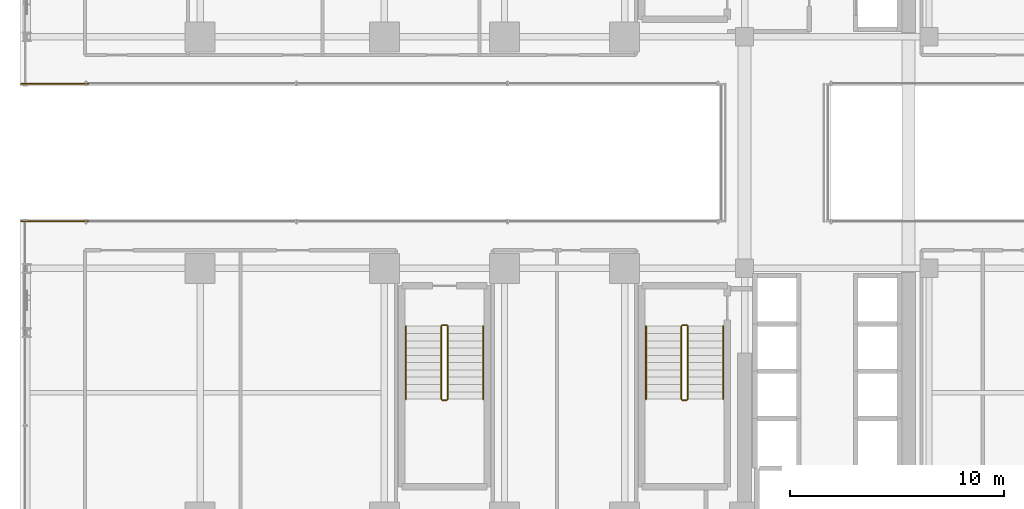
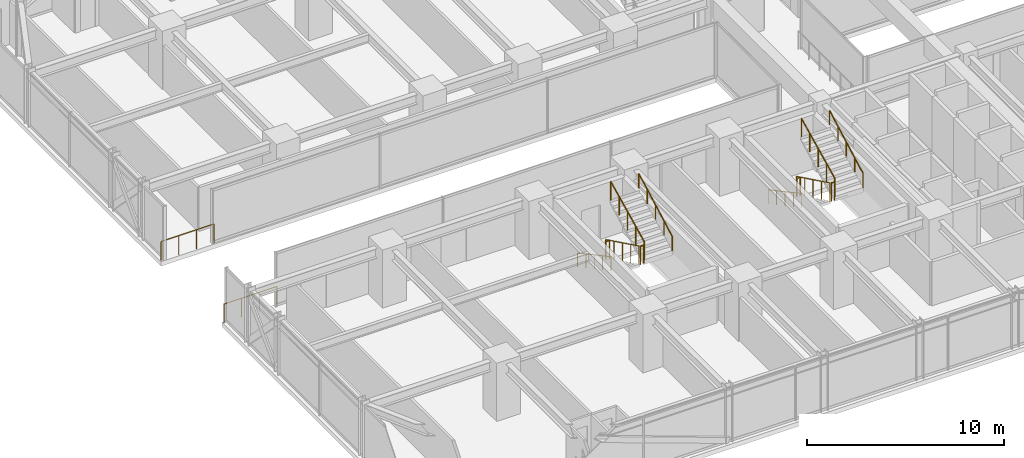
# One storey, part 38 of 41: 14 railings.
"""IFC4 building model written with IfcOpenShell, lengths in metres."""

from ifc_helpers import new_model, si_unit, direction, frame, origin, origin_2d, place, context, subcontext, project, spatial, circle, extrude, material, type_object, element, save


model = new_model("IFC4")

# Units and contexts
model_context = context("Model", 3, precision=1e-05, world=origin(), true_north=direction((0.0, 1.0)))
body_context = subcontext(model_context, "Body", "Model", "MODEL_VIEW")
ifc_project = project(units=[si_unit("LENGTHUNIT", "METRE"), si_unit("AREAUNIT", "SQUARE_METRE"), si_unit("VOLUMEUNIT", "CUBIC_METRE"), si_unit("PLANEANGLEUNIT", "RADIAN"), si_unit("MASSUNIT", "GRAM", prefix="KILO")], contexts=[model_context])

# Site, building, storey
site_placement = place(None, origin())
site = spatial("IfcSite", under=ifc_project, at=site_placement, CompositionType="ELEMENT")
building_placement = place(site_placement, origin())
building = spatial("IfcBuilding", under=site, at=building_placement, Name="Nahalor Promenade Grand Hotel", CompositionType="ELEMENT")
storey_placement = place(building_placement, frame((0.0, 0.0, 54.300048828125)))
storey = spatial("IfcBuildingStorey", under=building, at=storey_placement, Name="L12", CompositionType="ELEMENT", Elevation=54.300048828125)

# Railings
ifc_material_1 = material(Name="Anodised Bronze Aluminium EN AW-6063 T6", Category="aluminium")
railing_type_1 = type_object("IfcRailingType", Name="Bronze Balcony Guardrail 1200 mm", PredefinedType="GUARDRAIL", material=ifc_material_1)
for number, where, name in (
    (1, (-25.340087890625, -3.199951171875, 0.0), "L12 Oculus Void Edge Guardrail WS"),
    (2, (-25.340087890625, 3.199951171875, 0.0), "L12 Oculus Void Edge Guardrail WN"),
):
    element("IfcRailing", number, at=place(storey_placement, frame(where)), inside=storey, type_object=railing_type_1, Name=name, PredefinedType="GUARDRAIL", context=body_context, shape_type="SweptSolid", body=[
        extrude(circle(Radius=0.024048, at=origin_2d()), frame((0.0, 0.0, 1.17578125), z_axis=(1.0, 0.0, 0.0), x_axis=(0.0, 1.0, 0.0)), (0.0, 0.0, 1.0), 3.1201171875),
        extrude(circle(Radius=0.020996, at=origin_2d()), origin(), (0.0, 0.0, 1.0), 1.14990234375),
        extrude(circle(Radius=0.020996, at=origin_2d()), frame((1.0400390625, 0.0, 0.0)), (0.0, 0.0, 1.0), 1.14990234375),
        extrude(circle(Radius=0.020996, at=origin_2d()), frame((2.080078125, 0.0, 0.0)), (0.0, 0.0, 1.0), 1.14990234375),
        extrude(circle(Radius=0.020996, at=origin_2d()), frame((3.1201171875, 0.0, 0.0)), (0.0, 0.0, 1.0), 1.14990234375),
    ])
ifc_material_2 = material(Name="Steel S355JR", Category="steel")
railing_type_2 = type_object("IfcRailingType", Name="Steel Stair Guardrail 1150 mm", PredefinedType="GUARDRAIL", material=ifc_material_2)
railing_1_placement = place(storey_placement, frame((5.449951171875, -8.10009765625, 0.165771484375)))
element("IfcRailing", 3, at=railing_1_placement, inside=storey, type_object=railing_type_2, Name="L12 ST2 stair guard 1", PredefinedType="GUARDRAIL", context=body_context, shape_type="SweptSolid", body=[
    extrude(circle(Radius=0.024048, at=origin_2d()), frame((0.0, 0.0, 1.1259765625), z_axis=(0.0, -0.898696488221, 0.438571114028), x_axis=(1.0, 0.0, 0.0)), (0.0, 0.0, 1.0), 3.783203125),
    extrude(circle(Radius=0.020996, at=origin_2d()), origin(), (0.0, 0.0, 1.0), 1.099853515625),
    extrude(circle(Radius=0.020996, at=origin_2d()), frame((0.0, -0.85009765625, 0.414794921875)), (0.0, 0.0, 1.0), 1.099853515625),
    extrude(circle(Radius=0.020996, at=origin_2d()), frame((0.0, -1.699951171875, 0.82958984375)), (0.0, 0.0, 1.0), 1.099853515625),
    extrude(circle(Radius=0.020996, at=origin_2d()), frame((0.0, -2.5498046875, 1.244384765625)), (0.0, 0.0, 1.0), 1.099853515625),
    extrude(circle(Radius=0.020996, at=origin_2d()), frame((0.0, -3.39990234375, 1.6591796875)), (0.0, 0.0, 1.0), 1.099853515625),
])
railing_2_placement = place(storey_placement, frame((5.5, -11.550048828125, 1.824951171875)))
element("IfcRailing", 4, at=railing_2_placement, inside=storey, type_object=railing_type_2, Name="L12 ST2 stair guard 2", PredefinedType="GUARDRAIL", context=body_context, shape_type="SweptSolid", body=[
    extrude(circle(Radius=0.024048, at=origin_2d()), frame((0.0, 0.0, 1.1259765625), z_axis=(1.0, 0.0, 0.0), x_axis=(0.0, 1.0, 0.0)), (0.0, 0.0, 1.0), 0.199951171875),
    extrude(circle(Radius=0.020996, at=origin_2d()), origin(), (0.0, 0.0, 1.0), 1.099853515625),
    extrude(circle(Radius=0.020996, at=origin_2d()), frame((0.199951171875, 0.0, 0.0)), (0.0, 0.0, 1.0), 1.099853515625),
])
railing_3_placement = place(storey_placement, frame((5.75, -11.5, 1.990966796875)))
element("IfcRailing", 5, at=railing_3_placement, inside=storey, type_object=railing_type_2, Name="L12 ST2 stair guard 3", PredefinedType="GUARDRAIL", context=body_context, shape_type="SweptSolid", body=[
    extrude(circle(Radius=0.024048, at=origin_2d()), frame((0.0, 0.0, 1.1259765625), z_axis=(0.0, 0.898721922897, 0.438518990814), x_axis=(-1.0, 0.0, 0.0)), (0.0, 0.0, 1.0), 3.782958984375),
    extrude(circle(Radius=0.020996, at=origin_2d()), origin(), (0.0, 0.0, 1.0), 1.099853515625),
    extrude(circle(Radius=0.020996, at=origin_2d()), frame((0.0, 0.85009765625, 0.414794921875)), (0.0, 0.0, 1.0), 1.099853515625),
    extrude(circle(Radius=0.020996, at=origin_2d()), frame((0.0, 1.699951171875, 0.82958984375)), (0.0, 0.0, 1.0), 1.099853515625),
    extrude(circle(Radius=0.020996, at=origin_2d()), frame((0.0, 2.5498046875, 1.244140625)), (0.0, 0.0, 1.0), 1.099853515625),
    extrude(circle(Radius=0.020996, at=origin_2d()), frame((0.0, 3.39990234375, 1.658935546875)), (0.0, 0.0, 1.0), 1.099853515625),
])
railing_4_placement = place(storey_placement, frame((5.5, -8.050048828125, 0.0)))
element("IfcRailing", 6, at=railing_4_placement, inside=storey, type_object=railing_type_2, Name="L12 ST2 stair guard 4", PredefinedType="GUARDRAIL", context=body_context, shape_type="SweptSolid", body=[
    extrude(circle(Radius=0.024048, at=origin_2d()), frame((0.0, 0.0, 1.1259765625), z_axis=(1.0, 0.0, 0.0), x_axis=(0.0, 1.0, 0.0)), (0.0, 0.0, 1.0), 0.199951171875),
    extrude(circle(Radius=0.020996, at=origin_2d()), origin(), (0.0, 0.0, 1.0), 1.099853515625),
    extrude(circle(Radius=0.020996, at=origin_2d()), frame((0.199951171875, 0.0, 0.0)), (0.0, 0.0, 1.0), 1.099853515625),
])
railing_5_placement = place(storey_placement, frame((-5.75, -8.10009765625, 0.165771484375)))
element("IfcRailing", 7, at=railing_5_placement, inside=storey, type_object=railing_type_2, Name="L12 ST3 stair guard 1", PredefinedType="GUARDRAIL", context=body_context, shape_type="SweptSolid", body=[
    extrude(circle(Radius=0.024048, at=origin_2d()), frame((0.0, 0.0, 1.1259765625), z_axis=(0.0, -0.898696488221, 0.438571114028), x_axis=(1.0, 0.0, 0.0)), (0.0, 0.0, 1.0), 3.783203125),
    extrude(circle(Radius=0.020996, at=origin_2d()), origin(), (0.0, 0.0, 1.0), 1.099853515625),
    extrude(circle(Radius=0.020996, at=origin_2d()), frame((0.0, -0.85009765625, 0.414794921875)), (0.0, 0.0, 1.0), 1.099853515625),
    extrude(circle(Radius=0.020996, at=origin_2d()), frame((0.0, -1.699951171875, 0.82958984375)), (0.0, 0.0, 1.0), 1.099853515625),
    extrude(circle(Radius=0.020996, at=origin_2d()), frame((0.0, -2.5498046875, 1.244384765625)), (0.0, 0.0, 1.0), 1.099853515625),
    extrude(circle(Radius=0.020996, at=origin_2d()), frame((0.0, -3.39990234375, 1.6591796875)), (0.0, 0.0, 1.0), 1.099853515625),
])
railing_6_placement = place(storey_placement, frame((-5.699951171875, -11.550048828125, 1.824951171875)))
element("IfcRailing", 8, at=railing_6_placement, inside=storey, type_object=railing_type_2, Name="L12 ST3 stair guard 2", PredefinedType="GUARDRAIL", context=body_context, shape_type="SweptSolid", body=[
    extrude(circle(Radius=0.024048, at=origin_2d()), frame((0.0, 0.0, 1.1259765625), z_axis=(1.0, 0.0, 0.0), x_axis=(0.0, 1.0, 0.0)), (0.0, 0.0, 1.0), 0.199951171875),
    extrude(circle(Radius=0.020996, at=origin_2d()), origin(), (0.0, 0.0, 1.0), 1.099853515625),
    extrude(circle(Radius=0.020996, at=origin_2d()), frame((0.199951171875, 0.0, 0.0)), (0.0, 0.0, 1.0), 1.099853515625),
])
railing_7_placement = place(storey_placement, frame((-5.449951171875, -11.5, 1.990966796875)))
element("IfcRailing", 9, at=railing_7_placement, inside=storey, type_object=railing_type_2, Name="L12 ST3 stair guard 3", PredefinedType="GUARDRAIL", context=body_context, shape_type="SweptSolid", body=[
    extrude(circle(Radius=0.024048, at=origin_2d()), frame((0.0, 0.0, 1.1259765625), z_axis=(0.0, 0.898721922897, 0.438518990814), x_axis=(-1.0, 0.0, 0.0)), (0.0, 0.0, 1.0), 3.782958984375),
    extrude(circle(Radius=0.020996, at=origin_2d()), origin(), (0.0, 0.0, 1.0), 1.099853515625),
    extrude(circle(Radius=0.020996, at=origin_2d()), frame((0.0, 0.85009765625, 0.414794921875)), (0.0, 0.0, 1.0), 1.099853515625),
    extrude(circle(Radius=0.020996, at=origin_2d()), frame((0.0, 1.699951171875, 0.82958984375)), (0.0, 0.0, 1.0), 1.099853515625),
    extrude(circle(Radius=0.020996, at=origin_2d()), frame((0.0, 2.5498046875, 1.244140625)), (0.0, 0.0, 1.0), 1.099853515625),
    extrude(circle(Radius=0.020996, at=origin_2d()), frame((0.0, 3.39990234375, 1.658935546875)), (0.0, 0.0, 1.0), 1.099853515625),
])
railing_8_placement = place(storey_placement, frame((-5.699951171875, -8.050048828125, 0.0)))
element("IfcRailing", 10, at=railing_8_placement, inside=storey, type_object=railing_type_2, Name="L12 ST3 stair guard 4", PredefinedType="GUARDRAIL", context=body_context, shape_type="SweptSolid", body=[
    extrude(circle(Radius=0.024048, at=origin_2d()), frame((0.0, 0.0, 1.1259765625), z_axis=(1.0, 0.0, 0.0), x_axis=(0.0, 1.0, 0.0)), (0.0, 0.0, 1.0), 0.199951171875),
    extrude(circle(Radius=0.020996, at=origin_2d()), origin(), (0.0, 0.0, 1.0), 1.099853515625),
    extrude(circle(Radius=0.020996, at=origin_2d()), frame((0.199951171875, 0.0, 0.0)), (0.0, 0.0, 1.0), 1.099853515625),
])
railing_type_3 = type_object("IfcRailingType", Name="Steel Stair Handrail 900 mm", PredefinedType="HANDRAIL", material=ifc_material_2)
railing_9_placement = place(storey_placement, frame((3.800048828125, -8.10009765625, 0.165771484375)))
element("IfcRailing", 11, at=railing_9_placement, inside=storey, type_object=railing_type_3, Name="L12 ST2 stair handrail 1", PredefinedType="HANDRAIL", context=body_context, shape_type="SweptSolid", body=[
    extrude(circle(Radius=0.024048, at=origin_2d()), frame((0.0, 0.0, 0.8759765625), z_axis=(0.0, -0.881067672671, 0.472990228413), x_axis=(1.0, 0.0, 0.0)), (0.0, 0.0, 1.0), 3.85888671875),
    extrude(circle(Radius=0.020996, at=origin_2d()), origin(), (0.0, 0.0, 1.0), 0.849853515625),
    extrude(circle(Radius=0.020996, at=origin_2d()), frame((0.0, -0.85009765625, 0.456298828125)), (0.0, 0.0, 1.0), 0.849853515625),
    extrude(circle(Radius=0.020996, at=origin_2d()), frame((0.0, -1.699951171875, 0.91259765625)), (0.0, 0.0, 1.0), 0.849853515625),
    extrude(circle(Radius=0.020996, at=origin_2d()), frame((0.0, -2.5498046875, 1.368896484375)), (0.0, 0.0, 1.0), 0.849853515625),
    extrude(circle(Radius=0.020996, at=origin_2d()), frame((0.0, -3.39990234375, 1.8251953125)), (0.0, 0.0, 1.0), 0.849853515625),
])
railing_10_placement = place(storey_placement, frame((7.39990234375, -11.5, 1.990966796875)))
element("IfcRailing", 12, at=railing_10_placement, inside=storey, type_object=railing_type_3, Name="L12 ST2 stair handrail 2", PredefinedType="HANDRAIL", context=body_context, shape_type="SweptSolid", body=[
    extrude(circle(Radius=0.024048, at=origin_2d()), frame((0.0, 0.0, 0.8759765625), z_axis=(0.0, 0.881094038095, 0.47294111265), x_axis=(-1.0, 0.0, 0.0)), (0.0, 0.0, 1.0), 3.858642578125),
    extrude(circle(Radius=0.020996, at=origin_2d()), origin(), (0.0, 0.0, 1.0), 0.849853515625),
    extrude(circle(Radius=0.020996, at=origin_2d()), frame((0.0, 0.85009765625, 0.456298828125)), (0.0, 0.0, 1.0), 0.849853515625),
    extrude(circle(Radius=0.020996, at=origin_2d()), frame((0.0, 1.699951171875, 0.91259765625)), (0.0, 0.0, 1.0), 0.849853515625),
    extrude(circle(Radius=0.020996, at=origin_2d()), frame((0.0, 2.5498046875, 1.36865234375)), (0.0, 0.0, 1.0), 0.849853515625),
    extrude(circle(Radius=0.020996, at=origin_2d()), frame((0.0, 3.39990234375, 1.824951171875)), (0.0, 0.0, 1.0), 0.849853515625),
])
railing_11_placement = place(storey_placement, frame((-7.39990234375, -8.10009765625, 0.165771484375)))
element("IfcRailing", 13, at=railing_11_placement, inside=storey, type_object=railing_type_3, Name="L12 ST3 stair handrail 1", PredefinedType="HANDRAIL", context=body_context, shape_type="SweptSolid", body=[
    extrude(circle(Radius=0.024048, at=origin_2d()), frame((0.0, 0.0, 0.8759765625), z_axis=(0.0, -0.881067672671, 0.472990228413), x_axis=(1.0, 0.0, 0.0)), (0.0, 0.0, 1.0), 3.85888671875),
    extrude(circle(Radius=0.020996, at=origin_2d()), origin(), (0.0, 0.0, 1.0), 0.849853515625),
    extrude(circle(Radius=0.020996, at=origin_2d()), frame((0.0, -0.85009765625, 0.456298828125)), (0.0, 0.0, 1.0), 0.849853515625),
    extrude(circle(Radius=0.020996, at=origin_2d()), frame((0.0, -1.699951171875, 0.91259765625)), (0.0, 0.0, 1.0), 0.849853515625),
    extrude(circle(Radius=0.020996, at=origin_2d()), frame((0.0, -2.5498046875, 1.368896484375)), (0.0, 0.0, 1.0), 0.849853515625),
    extrude(circle(Radius=0.020996, at=origin_2d()), frame((0.0, -3.39990234375, 1.8251953125)), (0.0, 0.0, 1.0), 0.849853515625),
])
railing_12_placement = place(storey_placement, frame((-3.800048828125, -11.5, 1.990966796875)))
element("IfcRailing", 14, at=railing_12_placement, inside=storey, type_object=railing_type_3, Name="L12 ST3 stair handrail 2", PredefinedType="HANDRAIL", context=body_context, shape_type="SweptSolid", body=[
    extrude(circle(Radius=0.024048, at=origin_2d()), frame((0.0, 0.0, 0.8759765625), z_axis=(0.0, 0.881094038095, 0.47294111265), x_axis=(-1.0, 0.0, 0.0)), (0.0, 0.0, 1.0), 3.858642578125),
    extrude(circle(Radius=0.020996, at=origin_2d()), origin(), (0.0, 0.0, 1.0), 0.849853515625),
    extrude(circle(Radius=0.020996, at=origin_2d()), frame((0.0, 0.85009765625, 0.456298828125)), (0.0, 0.0, 1.0), 0.849853515625),
    extrude(circle(Radius=0.020996, at=origin_2d()), frame((0.0, 1.699951171875, 0.91259765625)), (0.0, 0.0, 1.0), 0.849853515625),
    extrude(circle(Radius=0.020996, at=origin_2d()), frame((0.0, 2.5498046875, 1.36865234375)), (0.0, 0.0, 1.0), 0.849853515625),
    extrude(circle(Radius=0.020996, at=origin_2d()), frame((0.0, 3.39990234375, 1.824951171875)), (0.0, 0.0, 1.0), 0.849853515625),
])

save(model, "model.ifc")
